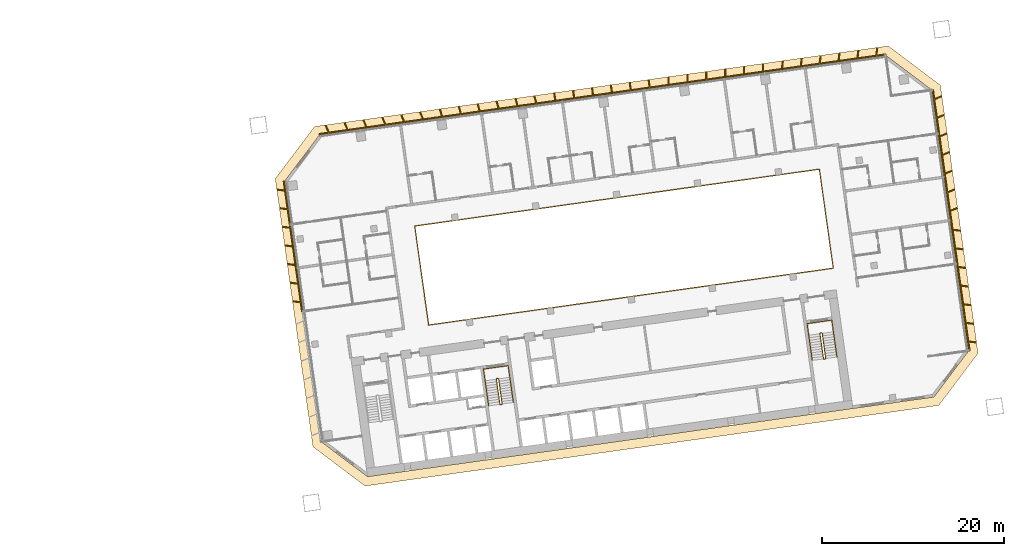
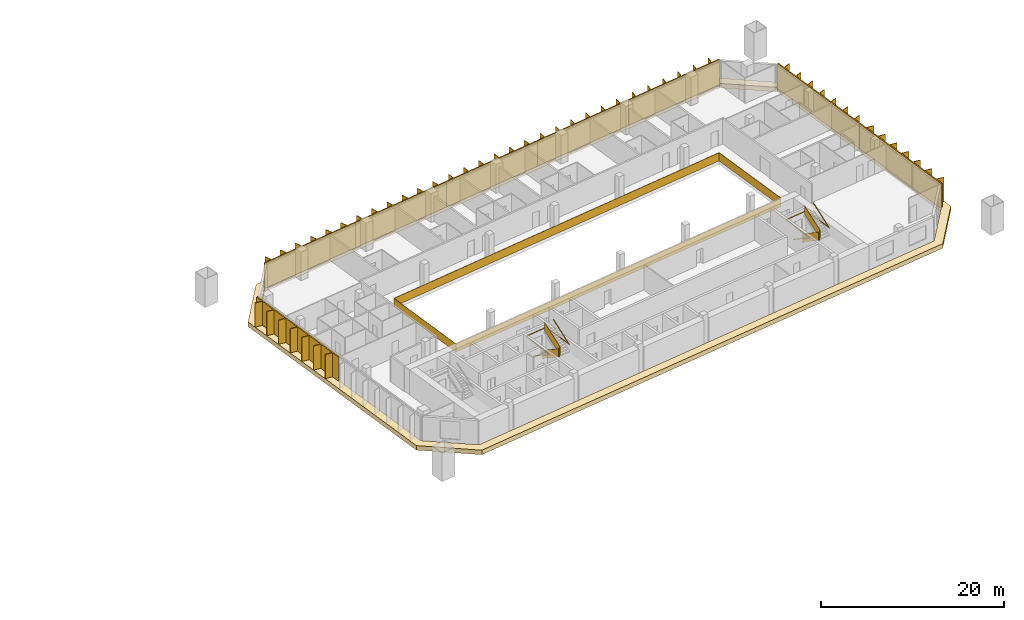
# One storey, part 24 of 24: 8 shading devices, 5 railings, 1 covering.
"""IFC4 building model written with IfcOpenShell, lengths in metres."""

from ifc_helpers import new_model, si_unit, direction, frame, origin, origin_2d, place, context, subcontext, project, spatial, polyline, rectangle, outline, extrude, material, layer, layer_set, type_object, element, save


model = new_model("IFC4")

# Units and contexts
model_context = context("Model", 3, precision=1e-05, world=origin(), true_north=direction((0.0, 1.0)))
body_context = subcontext(model_context, "Body", "Model", "MODEL_VIEW")
ifc_project = project(units=[si_unit("LENGTHUNIT", "METRE"), si_unit("AREAUNIT", "SQUARE_METRE"), si_unit("VOLUMEUNIT", "CUBIC_METRE"), si_unit("PLANEANGLEUNIT", "RADIAN"), si_unit("MASSUNIT", "GRAM", prefix="KILO")], contexts=[model_context])

# Site, building, storey
site_placement = place(None, origin())
site = spatial("IfcSite", under=ifc_project, at=site_placement, CompositionType="ELEMENT")
building_placement = place(site_placement, origin())
building = spatial("IfcBuilding", under=site, at=building_placement, Name="Mirante Cascada Hotel Towers", CompositionType="ELEMENT")
storey_placement = place(building_placement, frame((0.0, 0.0, 50.9)))
storey = spatial("IfcBuildingStorey", under=building, at=storey_placement, Name="L09", CompositionType="ELEMENT", Elevation=50.9)

# Railing
ifc_material_1 = material(Name="Toughened glass with stainless steel handrail", Category="steel")
railing_type_1 = type_object("IfcRailingType", Name="Atrium guard 1100 glass balustrade", PredefinedType="GUARDRAIL", material=ifc_material_1)
railing_1_placement = place(storey_placement, frame((43.8418, -3.4881, 0.0)))
element("IfcRailing", 1, at=railing_1_placement, inside=storey, type_object=railing_type_1, Name="GUARD 2-L09-1", PredefinedType="GUARDRAIL", context=body_context, shape_type="SweptSolid", body=[
    extrude(rectangle(XDim=0.048, YDim=0.048, at=origin_2d()), frame((0.0, 0.0, 1.076), z_axis=(0.9902681, 0.1391732, 0.0), x_axis=(-0.1391732, 0.9902681, 0.0)), (0.0, 0.0, 1.0), 45.0),
    extrude(rectangle(XDim=0.02, YDim=1.052, at=origin_2d()), frame((0.0, 0.0, 0.526), z_axis=(0.9902681, 0.1391732, 0.0), x_axis=(-0.1391732, 0.9902681, 0.0)), (0.0, 0.0, 1.0), 45.0),
    extrude(rectangle(XDim=0.048, YDim=0.048, at=origin_2d()), frame((44.5621, 6.2628, 1.076), z_axis=(-0.1391721, 0.9902682, 0.0), x_axis=(-0.9902682, -0.1391721, 0.0)), (0.0, 0.0, 1.0), 11.0001),
    extrude(rectangle(XDim=0.02, YDim=1.052, at=origin_2d()), frame((44.5621, 6.2628, 0.526), z_axis=(-0.1391721, 0.9902682, 0.0), x_axis=(-0.9902682, -0.1391721, 0.0)), (0.0, 0.0, 1.0), 11.0001),
    extrude(rectangle(XDim=0.048, YDim=0.048, at=origin_2d()), frame((43.0312, 17.1558, 1.076), z_axis=(-0.9902681, -0.1391732, 0.0), x_axis=(0.1391732, -0.9902681, 0.0)), (0.0, 0.0, 1.0), 45.0),
    extrude(rectangle(XDim=0.02, YDim=1.052, at=origin_2d()), frame((43.0312, 17.1558, 0.526), z_axis=(-0.9902681, -0.1391732, 0.0), x_axis=(0.1391732, -0.9902681, 0.0)), (0.0, 0.0, 1.0), 45.0),
    extrude(rectangle(XDim=0.048, YDim=0.048, at=origin_2d()), frame((-1.5309, 10.893, 1.076), z_axis=(0.1391721, -0.9902682, 0.0), x_axis=(0.9902682, 0.1391721, 0.0)), (0.0, 0.0, 1.0), 11.0001),
    extrude(rectangle(XDim=0.02, YDim=1.052, at=origin_2d()), frame((-1.5309, 10.893, 0.526), z_axis=(0.1391721, -0.9902682, 0.0), x_axis=(0.9902682, 0.1391721, 0.0)), (0.0, 0.0, 1.0), 11.0001),
])

# Covering
ifc_material_2 = material(Name="Precast concrete C40/50 white", Category="concrete")
ifc_layer = layer(ifc_material_2, 0.6)
ifc_layer_set = layer_set([ifc_layer], Name="Precast concrete SUNSHADE band 1000x600")
covering_type = type_object("IfcCoveringType", Name="Precast concrete SUNSHADE band 1000x600", PredefinedType="CLADDING", material=ifc_layer_set)
covering_placement = place(storey_placement, frame((0.0, 0.0, -0.45)))
element("IfcCovering", 2, at=covering_placement, inside=storey, type_object=covering_type, Name="Precast concrete SUNSHADE band T2 L09", PredefinedType="CLADDING", context=body_context, shape_type="SweptSolid", body=[
    extrude(outline(polyline([(26.9341, 12.6299), (31.2626, 18.374), (94.4698, 27.2572), (100.2139, 22.9287), (104.3652, -6.6094), (100.0367, -12.3535), (36.8295, -21.2367), (31.0854, -16.9082), (26.9341, 12.6299)]), holes=[polyline([(103.3173, -6.3384), (99.2813, 22.3794), (94.1988, 26.2093), (31.8119, 17.4414), (27.982, 12.3589), (32.018, -16.3589), (37.1005, -20.1888), (99.4874, -11.4209), (103.3173, -6.3384)])]), origin(), (0.0, 0.0, 1.0), 0.6),
])

# Railings
ifc_material_3 = material(Name="Painted steel", Category="steel")
railing_type_2 = type_object("IfcRailingType", Name="Stair guard 1100 steel balustrade", PredefinedType="GUARDRAIL", material=ifc_material_3)
railing_2_placement = place(storey_placement, frame((51.4864, -9.3815, 0.0)))
element("IfcRailing", 3, at=railing_2_placement, inside=storey, type_object=railing_type_2, Name="L09 ST2-B stair guard 1", PredefinedType="GUARDRAIL", context=body_context, shape_type="SweptSolid", body=[
    extrude(rectangle(XDim=0.048, YDim=0.048, at=origin_2d()), frame((0.0, 0.0, 1.076), z_axis=(-0.9902408, -0.1393672, 0.0), x_axis=(0.1393672, -0.9902408, 0.0)), (0.0, 0.0, 1.0), 0.15),
    extrude(rectangle(XDim=0.02, YDim=1.052, at=origin_2d()), frame((0.0, 0.0, 0.526), z_axis=(-0.9902408, -0.1393672, 0.0), x_axis=(0.1393672, -0.9902408, 0.0)), (0.0, 0.0, 1.0), 0.15),
    extrude(rectangle(XDim=0.048, YDim=0.048, at=origin_2d()), frame((-0.1485, -0.0209, 1.076), z_axis=(-0.6020331, -0.7984711, 0.0), x_axis=(0.7984711, -0.6020331, 0.0)), (0.0, 0.9253398, 0.3791387), 0.1866),
    extrude(rectangle(XDim=0.02, YDim=1.052, at=origin_2d()), frame((-0.1485, -0.0209, 0.526), z_axis=(-0.6020331, -0.7984711, 0.0), x_axis=(0.7984711, -0.6020331, 0.0)), (0.0, 0.9253398, 0.3791387), 0.1866),
    extrude(rectangle(XDim=0.048, YDim=0.048, at=origin_2d()), frame((-0.1911, -0.0774, 1.2487), z_axis=(0.139181, -0.990267, 0.0), x_axis=(0.990267, 0.139181, 0.0)), (0.0, 0.5250347, 0.8510808), 3.2899),
    extrude(rectangle(XDim=0.02, YDim=1.052, at=origin_2d()), frame((-0.1911, -0.0774, 0.6987), z_axis=(0.139181, -0.990267, 0.0), x_axis=(0.990267, 0.139181, 0.0)), (0.0, 0.5250347, 0.8510808), 3.2899),
    extrude(rectangle(XDim=0.048, YDim=0.048, at=origin_2d()), frame((0.1986, -2.8501, 2.976), z_axis=(0.9944441, -0.1052656, 0.0), x_axis=(0.1052656, 0.9944441, 0.0)), (0.0, 0.0, 1.0), 0.2061),
    extrude(rectangle(XDim=0.02, YDim=1.052, at=origin_2d()), frame((0.1986, -2.8501, 2.426), z_axis=(0.9944441, -0.1052656, 0.0), x_axis=(0.1052656, 0.9944441, 0.0)), (0.0, 0.0, 1.0), 0.2061),
    extrude(rectangle(XDim=0.048, YDim=0.048, at=origin_2d()), frame((0.4036, -2.8718, 2.976), z_axis=(-0.9902408, -0.1393672, 0.0), x_axis=(0.1393672, -0.9902408, 0.0)), (0.0, 0.0, 1.0), 0.15),
    extrude(rectangle(XDim=0.02, YDim=1.052, at=origin_2d()), frame((0.4036, -2.8718, 2.426), z_axis=(-0.9902408, -0.1393672, 0.0), x_axis=(0.1393672, -0.9902408, 0.0)), (0.0, 0.0, 1.0), 0.15),
    extrude(rectangle(XDim=0.048, YDim=0.048, at=origin_2d()), frame((0.2551, -2.8927, 2.976), z_axis=(0.9268624, 0.3754011, 0.0), x_axis=(-0.3754011, 0.9268624, 0.0)), (0.0, 0.6421217, 0.7666028), 0.269),
    extrude(rectangle(XDim=0.02, YDim=1.052, at=origin_2d()), frame((0.2551, -2.8927, 2.426), z_axis=(0.9268624, 0.3754011, 0.0), x_axis=(-0.3754011, 0.9268624, 0.0)), (0.0, 0.6421217, 0.7666028), 0.269),
    extrude(rectangle(XDim=0.048, YDim=0.048, at=origin_2d()), frame((0.4462, -2.8153, 3.1487), z_axis=(-0.139181, 0.990267, 0.0), x_axis=(-0.990267, -0.139181, 0.0)), (0.0, 0.5250347, 0.8510808), 3.2899),
    extrude(rectangle(XDim=0.02, YDim=1.052, at=origin_2d()), frame((0.4462, -2.8153, 2.5987), z_axis=(-0.139181, 0.990267, 0.0), x_axis=(-0.990267, -0.139181, 0.0)), (0.0, 0.5250347, 0.8510808), 3.2899),
])
railing_3_placement = place(storey_placement, frame((87.1361, -4.3713, 0.0)))
element("IfcRailing", 4, at=railing_3_placement, inside=storey, type_object=railing_type_2, Name="L09 ST2-C stair guard 1", PredefinedType="GUARDRAIL", context=body_context, shape_type="SweptSolid", body=[
    extrude(rectangle(XDim=0.048, YDim=0.048, at=origin_2d()), frame((0.0, 0.0, 1.076), z_axis=(-0.9902537, -0.1392753, 0.0), x_axis=(0.1392753, -0.9902537, 0.0)), (0.0, 0.0, 1.0), 0.1501),
    extrude(rectangle(XDim=0.02, YDim=1.052, at=origin_2d()), frame((0.0, 0.0, 0.526), z_axis=(-0.9902537, -0.1392753, 0.0), x_axis=(0.1392753, -0.9902537, 0.0)), (0.0, 0.0, 1.0), 0.1501),
    extrude(rectangle(XDim=0.048, YDim=0.048, at=origin_2d()), frame((-0.1486, -0.0209, 1.076), z_axis=(-0.601811, -0.7986386, 0.0), x_axis=(0.7986386, -0.601811, 0.0)), (0.0, 0.925603, 0.3784959), 0.1866),
    extrude(rectangle(XDim=0.02, YDim=1.052, at=origin_2d()), frame((-0.1486, -0.0209, 0.526), z_axis=(-0.601811, -0.7986386, 0.0), x_axis=(0.7986386, -0.601811, 0.0)), (0.0, 0.925603, 0.3784959), 0.1866),
    extrude(rectangle(XDim=0.048, YDim=0.048, at=origin_2d()), frame((-0.1911, -0.0773, 1.2487), z_axis=(0.139176, -0.9902677, 0.0), x_axis=(0.9902677, 0.139176, 0.0)), (0.0, 0.5250212, 0.8510891), 3.29),
    extrude(rectangle(XDim=0.02, YDim=1.052, at=origin_2d()), frame((-0.1911, -0.0773, 0.6987), z_axis=(0.139176, -0.9902677, 0.0), x_axis=(0.9902677, 0.139176, 0.0)), (0.0, 0.5250212, 0.8510891), 3.29),
    extrude(rectangle(XDim=0.048, YDim=0.048, at=origin_2d()), frame((0.1986, -2.8501, 2.976), z_axis=(0.9944441, -0.1052656, 0.0), x_axis=(0.1052656, 0.9944441, 0.0)), (0.0, 0.0, 1.0), 0.2061),
    extrude(rectangle(XDim=0.02, YDim=1.052, at=origin_2d()), frame((0.1986, -2.8501, 2.426), z_axis=(0.9944441, -0.1052656, 0.0), x_axis=(0.1052656, 0.9944441, 0.0)), (0.0, 0.0, 1.0), 0.2061),
    extrude(rectangle(XDim=0.048, YDim=0.048, at=origin_2d()), frame((0.4036, -2.8718, 2.976), z_axis=(-0.9903454, -0.1386217, 0.0), x_axis=(0.1386217, -0.9903454, 0.0)), (0.0, 0.0, 1.0), 0.15),
    extrude(rectangle(XDim=0.02, YDim=1.052, at=origin_2d()), frame((0.4036, -2.8718, 2.426), z_axis=(-0.9903454, -0.1386217, 0.0), x_axis=(0.1386217, -0.9903454, 0.0)), (0.0, 0.0, 1.0), 0.15),
    extrude(rectangle(XDim=0.048, YDim=0.048, at=origin_2d()), frame((0.255, -2.8926, 2.976), z_axis=(0.9270311, 0.3749843, 0.0), x_axis=(-0.3749843, 0.9270311, 0.0)), (0.0, 0.6421903, 0.7665452), 0.2689),
    extrude(rectangle(XDim=0.02, YDim=1.052, at=origin_2d()), frame((0.255, -2.8926, 2.426), z_axis=(0.9270311, 0.3749843, 0.0), x_axis=(-0.3749843, 0.9270311, 0.0)), (0.0, 0.6421903, 0.7665452), 0.2689),
    extrude(rectangle(XDim=0.048, YDim=0.048, at=origin_2d()), frame((0.4461, -2.8153, 3.1487), z_axis=(-0.139176, 0.9902677, 0.0), x_axis=(-0.9902677, -0.139176, 0.0)), (0.0, 0.5250212, 0.8510891), 3.29),
    extrude(rectangle(XDim=0.02, YDim=1.052, at=origin_2d()), frame((0.4461, -2.8153, 2.5987), z_axis=(-0.139176, 0.9902677, 0.0), x_axis=(-0.9902677, -0.139176, 0.0)), (0.0, 0.5250212, 0.8510891), 3.29),
])
ifc_material_4 = material(Name="Painted steel", Category="steel")
railing_type_3 = type_object("IfcRailingType", Name="Stair handrail 900 steel tube", PredefinedType="HANDRAIL", material=ifc_material_4)
railing_4_placement = place(storey_placement, frame((50.0575, -9.6328, 0.1727)))
element("IfcRailing", 5, at=railing_4_placement, inside=storey, type_object=railing_type_3, Name="L09 ST2-B stair handrail 1", PredefinedType="HANDRAIL", context=body_context, shape_type="SweptSolid", body=[
    extrude(rectangle(XDim=0.048, YDim=0.048, at=origin_2d()), frame((0.0, 0.0, 0.876), z_axis=(0.139176, -0.9902677, 0.0), x_axis=(0.9902677, 0.139176, 0.0)), (0.0, 0.5250212, 0.8510891), 3.29),
    extrude(rectangle(XDim=0.048, YDim=0.048, at=origin_2d()), frame((0.3897, -2.7728, 2.6033), z_axis=(-0.1391707, 0.9902684, 0.0), x_axis=(-0.9902684, -0.1391707, 0.0)), (0.0, 0.0420846, 0.999114), 4.1036),
    extrude(rectangle(XDim=0.048, YDim=0.048, at=origin_2d()), frame((-0.1809, 1.2873, 2.776), z_axis=(0.9902641, 0.1392013, 0.0), x_axis=(-0.1392013, 0.9902641, 0.0)), (0.0, 0.0, 1.0), 2.75),
    extrude(rectangle(XDim=0.048, YDim=0.048, at=origin_2d()), frame((2.5423, 1.6701, 2.776), z_axis=(0.1391707, -0.9902684, 0.0), x_axis=(0.9902684, 0.1391707, 0.0)), (0.0, 0.0, 1.0), 4.1),
    extrude(rectangle(XDim=0.048, YDim=0.048, at=origin_2d()), frame((3.1129, -2.39, 2.776), z_axis=(-0.139181, 0.990267, 0.0), x_axis=(-0.990267, -0.139181, 0.0)), (0.0, 0.5250347, 0.8510808), 3.2899),
])
railing_5_placement = place(storey_placement, frame((85.7071, -4.6226, 0.1727)))
element("IfcRailing", 6, at=railing_5_placement, inside=storey, type_object=railing_type_3, Name="L09 ST2-C stair handrail 1", PredefinedType="HANDRAIL", context=body_context, shape_type="SweptSolid", body=[
    extrude(rectangle(XDim=0.048, YDim=0.048, at=origin_2d()), frame((0.0, 0.0, 0.876), z_axis=(0.139181, -0.990267, 0.0), x_axis=(0.990267, 0.139181, 0.0)), (0.0, 0.5250347, 0.8510808), 3.2899),
    extrude(rectangle(XDim=0.048, YDim=0.048, at=origin_2d()), frame((0.3897, -2.7727, 2.6033), z_axis=(-0.1391707, 0.9902684, 0.0), x_axis=(-0.9902684, -0.1391707, 0.0)), (0.0, 0.0420846, 0.999114), 4.1036),
    extrude(rectangle(XDim=0.048, YDim=0.048, at=origin_2d()), frame((-0.1809, 1.2874, 2.776), z_axis=(0.9902691, 0.1391657, 0.0), x_axis=(-0.1391657, 0.9902691, 0.0)), (0.0, 0.0, 1.0), 2.75),
    extrude(rectangle(XDim=0.048, YDim=0.048, at=origin_2d()), frame((2.5423, 1.6701, 2.776), z_axis=(0.1391947, -0.990265, 0.0), x_axis=(0.990265, 0.1391947, 0.0)), (0.0, 0.0, 1.0), 4.1),
    extrude(rectangle(XDim=0.048, YDim=0.048, at=origin_2d()), frame((3.113, -2.39, 2.776), z_axis=(-0.139181, 0.990267, 0.0), x_axis=(-0.990267, -0.139181, 0.0)), (0.0, 0.5250347, 0.8510808), 3.2899),
])

# Shading devices
ifc_material_5 = material(Name="White precast concrete C50/60 fin", Category="concrete")
shading_device_type = type_object("IfcShadingDeviceType", Name="Vertical fin set 4500x900", PredefinedType="USERDEFINED", material=ifc_material_5)
shading_device_1_placement = place(storey_placement, origin())
element("IfcShadingDevice", 7, at=shading_device_1_placement, inside=storey, type_object=shading_device_type, Name="FIN T2 L09 front 1", ObjectType="FIN", PredefinedType="USERDEFINED", context=body_context, shape_type="SweptSolid", body=[
    extrude(outline(polyline([(82.8967, 25.5893), (82.7946, 24.758), (84.7922, 25.0387), (84.8968, 25.8913), (84.9762, 25.8815), (84.8742, 25.0503), (86.8717, 25.331), (86.9764, 26.1835), (87.0558, 26.1738), (86.9537, 25.3425), (88.9513, 25.6233), (89.056, 26.4758), (89.1354, 26.4661), (89.0333, 25.6348), (91.0308, 25.9155), (91.1355, 26.7681), (91.2149, 26.7583), (91.1129, 25.9271), (93.1104, 26.2078), (93.2151, 27.0603), (93.2945, 27.0506), (93.1924, 26.2193), (94.1779, 26.3578), (94.1988, 26.2093), (81.7214, 24.4557), (81.7006, 24.6042), (82.7126, 24.7465), (82.8173, 25.599), (82.8967, 25.5893)])), origin(), (0.0, 0.0, 1.0), 3.35),
])
shading_device_2_placement = place(storey_placement, origin())
element("IfcShadingDevice", 8, at=shading_device_2_placement, inside=storey, type_object=shading_device_type, Name="FIN T2 L09 front 2", ObjectType="FIN", PredefinedType="USERDEFINED", context=body_context, shape_type="SweptSolid", body=[
    extrude(outline(polyline([(70.3021, 23.8476), (70.3094, 23.0033), (72.3091, 23.2844), (72.3016, 24.1392), (72.3816, 24.1399), (72.389, 23.2956), (74.3886, 23.5766), (74.3812, 24.4314), (74.4612, 24.4321), (74.4686, 23.5878), (76.4682, 23.8689), (76.4608, 24.7237), (76.5407, 24.7244), (76.5481, 23.8801), (78.5478, 24.1611), (78.5403, 25.0159), (78.6203, 25.0166), (78.6277, 24.1724), (80.6273, 24.4534), (80.6199, 25.3082), (80.6999, 25.3089), (80.7072, 24.4646), (81.7006, 24.6042), (81.7214, 24.4557), (69.2441, 22.7021), (69.2232, 22.8507), (70.2295, 22.9921), (70.2221, 23.8469), (70.3021, 23.8476)])), origin(), (0.0, 0.0, 1.0), 3.35),
])
shading_device_3_placement = place(storey_placement, origin())
element("IfcShadingDevice", 9, at=shading_device_3_placement, inside=storey, type_object=shading_device_type, Name="FIN T2 L09 front 3", ObjectType="FIN", PredefinedType="USERDEFINED", context=body_context, shape_type="SweptSolid", body=[
    extrude(outline(polyline([(57.7069, 22.0905), (57.8252, 21.2488), (59.8255, 21.5299), (59.7072, 22.3716), (59.7865, 22.3828), (59.9048, 21.541), (61.9051, 21.8222), (61.7868, 22.6639), (61.866, 22.675), (61.9843, 21.8333), (63.9847, 22.1144), (63.8664, 22.9562), (63.9456, 22.9673), (64.0639, 22.1256), (66.0642, 22.4067), (65.9459, 23.2484), (66.0251, 23.2596), (66.1434, 22.4178), (68.1438, 22.699), (68.0255, 23.5407), (68.1047, 23.5518), (68.223, 22.7101), (69.2232, 22.8507), (69.2441, 22.7021), (56.7667, 20.9485), (56.7458, 21.0971), (57.746, 21.2376), (57.6277, 22.0794), (57.7069, 22.0905)])), origin(), (0.0, 0.0, 1.0), 3.35),
])
shading_device_4_placement = place(storey_placement, origin())
element("IfcShadingDevice", 10, at=shading_device_4_placement, inside=storey, type_object=shading_device_type, Name="FIN T2 L09 front 4", ObjectType="FIN", PredefinedType="USERDEFINED", context=body_context, shape_type="SweptSolid", body=[
    extrude(outline(polyline([(45.1132, 20.3181), (45.3416, 19.4943), (47.3413, 19.7754), (47.1157, 20.589), (47.1928, 20.6103), (47.4212, 19.7866), (49.4209, 20.0676), (49.1952, 20.8812), (49.2723, 20.9026), (49.5008, 20.0789), (51.5004, 20.3599), (51.2748, 21.1735), (51.3519, 21.1949), (51.5803, 20.3711), (53.58, 20.6521), (53.3544, 21.4657), (53.4314, 21.4871), (53.6599, 20.6634), (55.6595, 20.9444), (55.4339, 21.758), (55.511, 21.7794), (55.7394, 20.9556), (56.7458, 21.0971), (56.7667, 20.9485), (44.2893, 19.195), (44.2684, 19.3435), (45.2617, 19.4831), (45.0361, 20.2967), (45.1132, 20.3181)])), origin(), (0.0, 0.0, 1.0), 3.35),
])
shading_device_5_placement = place(storey_placement, origin())
element("IfcShadingDevice", 11, at=shading_device_5_placement, inside=storey, type_object=shading_device_type, Name="FIN T2 L09 front 5", ObjectType="FIN", PredefinedType="USERDEFINED", context=body_context, shape_type="SweptSolid", body=[
    extrude(outline(polyline([(32.5229, 18.5306), (32.8586, 17.7399), (34.8561, 18.0207), (34.5289, 18.7916), (34.6025, 18.8229), (34.9381, 18.0322), (36.9357, 18.3129), (36.6084, 19.0839), (36.6821, 19.1151), (37.0177, 18.3245), (39.0152, 18.6052), (38.688, 19.3761), (38.7616, 19.4074), (39.0973, 18.6167), (41.0948, 18.8975), (40.7676, 19.6684), (40.8412, 19.6997), (41.1768, 18.909), (43.1744, 19.1897), (42.8471, 19.9607), (42.9208, 19.9919), (43.2564, 19.2013), (44.2684, 19.3435), (44.2893, 19.195), (31.8119, 17.4414), (31.791, 17.5899), (32.7765, 17.7284), (32.4493, 18.4994), (32.5229, 18.5306)])), origin(), (0.0, 0.0, 1.0), 3.35),
])
shading_device_6_placement = place(storey_placement, origin())
element("IfcShadingDevice", 12, at=shading_device_6_placement, inside=storey, type_object=shading_device_type, Name="FIN T2 L09 inner 1", ObjectType="FIN", PredefinedType="USERDEFINED", context=body_context, shape_type="SweptSolid", body=[
    extrude(outline(polyline([(28.8684, -0.8389), (29.6997, -0.941), (29.4229, 1.0283), (28.5704, 1.133), (28.5801, 1.2124), (29.4114, 1.1103), (29.1346, 3.0796), (28.2821, 3.1842), (28.2918, 3.2636), (29.1231, 3.1616), (28.8464, 5.1308), (27.9938, 5.2355), (28.0036, 5.3149), (28.8348, 5.2128), (28.5581, 7.1821), (27.7055, 7.2868), (27.7153, 7.3662), (28.5465, 7.2641), (28.2698, 9.2334), (27.4172, 9.338), (27.427, 9.4174), (28.2583, 9.3154), (27.9815, 11.2846), (27.1289, 11.3893), (27.1387, 11.4687), (27.97, 11.3667), (27.8334, 12.338), (27.982, 12.3589), (30.0, -2.0), (29.8515, -2.0209), (29.7112, -1.023), (28.8587, -0.9183), (28.8684, -0.8389)])), origin(), (0.0, 0.0, 1.0), 3.35),
])
shading_device_7_placement = place(storey_placement, origin())
element("IfcShadingDevice", 13, at=shading_device_7_placement, inside=storey, type_object=shading_device_type, Name="FIN T2 L09 outer 1", ObjectType="FIN", PredefinedType="USERDEFINED", context=body_context, shape_type="SweptSolid", body=[
    extrude(outline(polyline([(104.1606, -5.4483), (103.3293, -5.3462), (103.4659, -6.3175), (103.3173, -6.3384), (101.2993, 8.0205), (101.4478, 8.0413), (101.5881, 7.0434), (102.4406, 6.9388), (102.4309, 6.8594), (101.5996, 6.9614), (101.8764, 4.9922), (102.7289, 4.8875), (102.7192, 4.8081), (101.8879, 4.9102), (102.1647, 2.9409), (103.0172, 2.8362), (103.0075, 2.7568), (102.1762, 2.8589), (102.4529, 0.8896), (103.3055, 0.785), (103.2957, 0.7056), (102.4645, 0.8076), (102.7412, -1.1616), (103.5938, -1.2663), (103.584, -1.3457), (102.7528, -1.2436), (103.0295, -3.2129), (103.8821, -3.3176), (103.8723, -3.397), (103.041, -3.2949), (103.3178, -5.2642), (104.1704, -5.3689), (104.1606, -5.4483)])), origin(), (0.0, 0.0, 1.0), 3.35),
])
shading_device_8_placement = place(storey_placement, origin())
element("IfcShadingDevice", 14, at=shading_device_8_placement, inside=storey, type_object=shading_device_type, Name="FIN T2 L09 outer 2", ObjectType="FIN", PredefinedType="USERDEFINED", context=body_context, shape_type="SweptSolid", body=[
    extrude(outline(polyline([(102.0983, 9.3749), (101.3076, 9.0392), (101.4478, 8.0413), (101.2993, 8.0205), (99.2813, 22.3794), (99.4298, 22.4002), (99.5663, 21.4289), (100.3373, 21.7561), (100.3685, 21.6825), (99.5779, 21.3469), (99.8546, 19.3776), (100.6256, 19.7048), (100.6568, 19.6312), (99.8662, 19.2956), (100.1429, 17.3263), (100.9139, 17.6536), (100.9451, 17.5799), (100.1544, 17.2443), (100.4312, 15.2751), (101.2021, 15.6023), (101.2334, 15.5287), (100.4427, 15.193), (100.7195, 13.2238), (101.4904, 13.551), (101.5217, 13.4774), (100.731, 13.1418), (101.0078, 11.1725), (101.7787, 11.4998), (101.81, 11.4261), (101.0193, 11.0905), (101.2961, 9.1212), (102.067, 9.4485), (102.0983, 9.3749)])), origin(), (0.0, 0.0, 1.0), 3.35),
])

save(model, "model.ifc")
